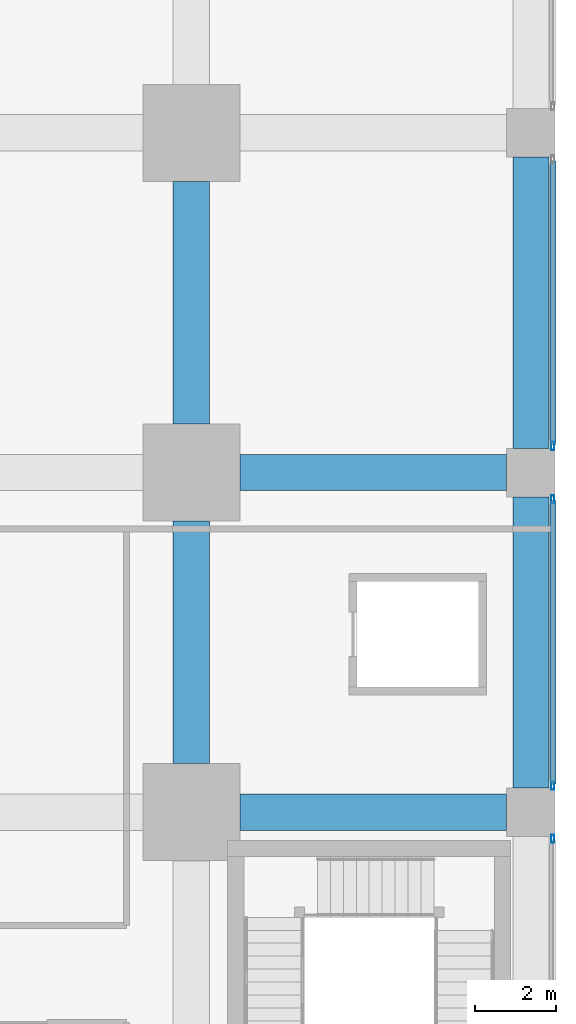
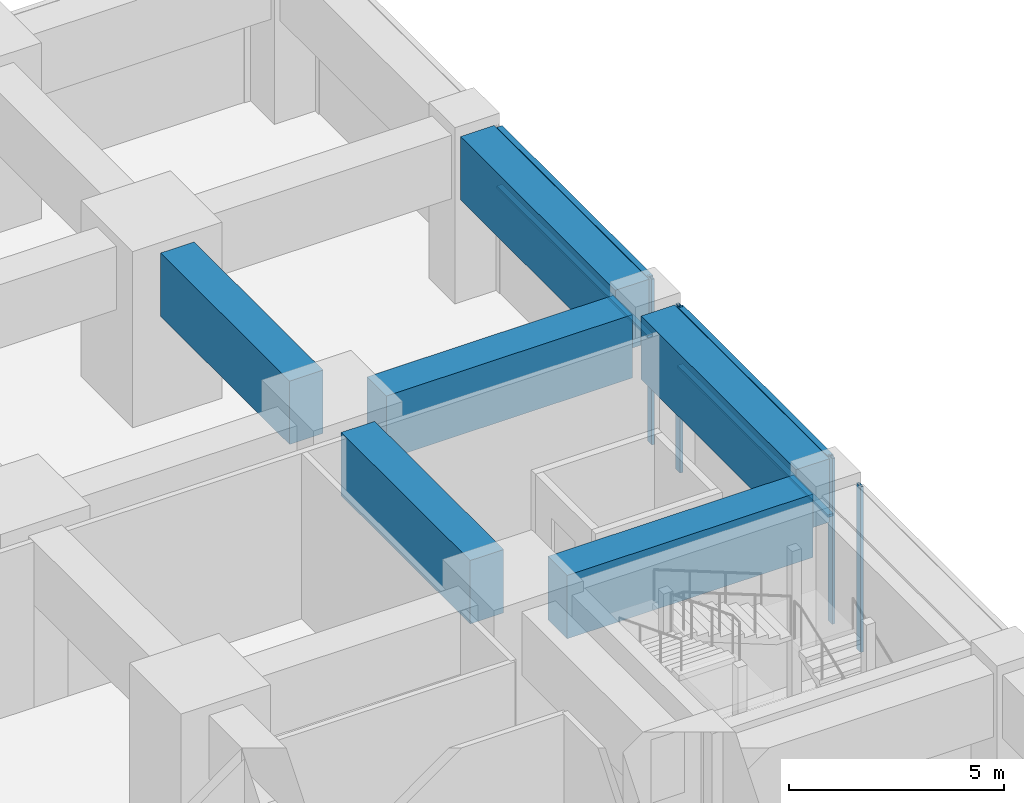
# One storey, part 32 of 49: 8 members, 6 beams, 3 elements without a shape of their own.
"""IFC4 building model written with IfcOpenShell, lengths in metres."""

from ifc_helpers import new_model, si_unit, direction, frame, origin, origin_2d, place, context, subcontext, project, spatial, rectangle, hollow_rectangle, extrude, material, material_profile, profile_set, type_object, element, aggregate, save


model = new_model("IFC4")

# Units and contexts
model_context = context("Model", 3, precision=1e-05, world=origin(), true_north=direction((0.0, 1.0)))
body_context = subcontext(model_context, "Body", "Model", "MODEL_VIEW")
ifc_project = project(units=[si_unit("LENGTHUNIT", "METRE"), si_unit("AREAUNIT", "SQUARE_METRE"), si_unit("VOLUMEUNIT", "CUBIC_METRE"), si_unit("PLANEANGLEUNIT", "RADIAN"), si_unit("MASSUNIT", "GRAM", prefix="KILO")], contexts=[model_context])

# Site, building, storey
site_placement = place(None, origin())
site = spatial("IfcSite", under=ifc_project, at=site_placement, CompositionType="ELEMENT")
building_placement = place(site_placement, origin())
building = spatial("IfcBuilding", under=site, at=building_placement, Name="Rekha Terrace Tower", CompositionType="ELEMENT")
storey_placement = place(building_placement, frame((0.0, 0.0, 10.39990234375)))
storey = spatial("IfcBuildingStorey", under=building, at=storey_placement, Name="L02", CompositionType="ELEMENT", Elevation=10.39990234375)

# Curtain wall, member
ifc_material_1 = material(Name="Aluminium framing", Category="aluminium")
curtain_wall_type = type_object("IfcCurtainWallType", Name="CW4 podium shopfront glazing", PredefinedType="USERDEFINED", material=ifc_material_1)
curtain_wall_1_placement = place(storey_placement, origin())
curtain_wall_1 = element("IfcCurtainWall", 1, at=curtain_wall_1_placement, inside=storey, type_object=curtain_wall_type, Name="CW4 shopfront curtain wall", ObjectType="SHOPFRONT CURTAIN WALL", PredefinedType="USERDEFINED")
ifc_material_2 = material(Name="Aluminium mullion section", Category="aluminium")
ifc_material_profile_1 = material_profile(ifc_material_2, hollow_rectangle(XDim=0.074951171875, YDim=0.199951171875, WallThickness=0.00390625, at=origin_2d()), Name="AL RHS 75x200")
ifc_profile_set_1 = profile_set([ifc_material_profile_1], Name="Aluminium mullion section")
member_type_1 = type_object("IfcMemberType", Name="CW4 mullion RHS 75 x 200", PredefinedType="MULLION", material=ifc_profile_set_1)
member_1_placement = place(storey_placement, frame((76.139892578125, 32.9423828125, 0.0), z_axis=(0.0, 0.0, 1.0), x_axis=(-1.0, 0.0, 0.0)))
member_1 = element("IfcMember", 2, at=member_1_placement, type_object=member_type_1, Name="CW4 mullion 2", PredefinedType="MULLION", context=body_context, shape_type="SweptSolid", body=[
    extrude(hollow_rectangle(XDim=0.074951171875, YDim=0.199951171875, WallThickness=0.00390625, at=origin_2d()), origin(), (0.0, 0.0, 1.0), 4.7001953125),
])
aggregate(curtain_wall_1, [member_1])

# Curtain wall, members
curtain_wall_2_placement = place(storey_placement, origin())
curtain_wall_2 = element("IfcCurtainWall", 3, at=curtain_wall_2_placement, inside=storey, type_object=curtain_wall_type, Name="CW4 shopfront curtain wall", ObjectType="SHOPFRONT CURTAIN WALL", PredefinedType="USERDEFINED")
member_2_placement = place(storey_placement, frame((76.139892578125, 34.257568359375, 0.0), z_axis=(0.0, 0.0, 1.0), x_axis=(-1.0, 0.0, 0.0)))
member_2 = element("IfcMember", 4, at=member_2_placement, type_object=member_type_1, Name="CW4 mullion 1", PredefinedType="MULLION", context=body_context, shape_type="SweptSolid", body=[
    extrude(hollow_rectangle(XDim=0.074951171875, YDim=0.199951171875, WallThickness=0.00390625, at=origin_2d()), origin(), (0.0, 0.0, 1.0), 4.7001953125),
])
member_3_placement = place(storey_placement, frame((76.139892578125, 41.342529296875, 0.0), z_axis=(0.0, 0.0, 1.0), x_axis=(-1.0, 0.0, 0.0)))
member_3 = element("IfcMember", 5, at=member_3_placement, type_object=member_type_1, Name="CW4 mullion 2", PredefinedType="MULLION", context=body_context, shape_type="SweptSolid", body=[
    extrude(hollow_rectangle(XDim=0.074951171875, YDim=0.199951171875, WallThickness=0.00390625, at=origin_2d()), origin(), (0.0, 0.0, 1.0), 4.7001953125),
])

# Curtain wall, member
curtain_wall_3_placement = place(storey_placement, origin())
curtain_wall_3 = element("IfcCurtainWall", 6, at=curtain_wall_3_placement, inside=storey, type_object=curtain_wall_type, Name="CW4 shopfront curtain wall", ObjectType="SHOPFRONT CURTAIN WALL", PredefinedType="USERDEFINED")
member_4_placement = place(storey_placement, frame((76.139892578125, 42.657470703125, 0.0), z_axis=(0.0, 0.0, 1.0), x_axis=(-1.0, 0.0, 0.0)))
member_4 = element("IfcMember", 7, at=member_4_placement, type_object=member_type_1, Name="CW4 mullion 1", PredefinedType="MULLION", context=body_context, shape_type="SweptSolid", body=[
    extrude(hollow_rectangle(XDim=0.074951171875, YDim=0.199951171875, WallThickness=0.00390625, at=origin_2d()), origin(), (0.0, 0.0, 1.0), 4.7001953125),
])

# Member
ifc_material_3 = material(Name="Aluminium transom section", Category="aluminium")
ifc_material_profile_2 = material_profile(ifc_material_3, hollow_rectangle(XDim=0.14990234375, YDim=0.074951171875, WallThickness=0.0029296875, at=origin_2d()), Name="AL RHS 150x75")
ifc_profile_set_2 = profile_set([ifc_material_profile_2], Name="Aluminium transom section")
member_type_2 = type_object("IfcMemberType", Name="CW4 transom RHS 75 x 150", PredefinedType="USERDEFINED", material=ifc_profile_set_2)
member_5_placement = place(storey_placement, frame((76.139892578125, 34.294921875, 3.0), z_axis=(0.0, 1.0, 0.0), x_axis=(-1.0, 0.0, 0.0)))
member_5 = element("IfcMember", 8, at=member_5_placement, type_object=member_type_2, Name="CW4 transom 1.2", ObjectType="TRANSOM", PredefinedType="USERDEFINED", context=body_context, shape_type="SweptSolid", body=[
    extrude(hollow_rectangle(XDim=0.14990234375, YDim=0.074951171875, WallThickness=0.0029296875, at=origin_2d()), origin(), (0.0, 0.0, 1.0), 7.010009765625),
])

member_6_placement = place(storey_placement, frame((76.139892578125, 34.294921875, 4.66259765625), z_axis=(0.0, 1.0, 0.0), x_axis=(-1.0, 0.0, 0.0)))
member_6 = element("IfcMember", 9, at=member_6_placement, type_object=member_type_2, Name="CW4 transom 1.3", ObjectType="TRANSOM", PredefinedType="USERDEFINED", context=body_context, shape_type="SweptSolid", body=[
    extrude(hollow_rectangle(XDim=0.14990234375, YDim=0.074951171875, WallThickness=0.0029296875, at=origin_2d()), origin(), (0.0, 0.0, 1.0), 7.010009765625),
])

aggregate(curtain_wall_2, [member_2, member_3, member_5, member_6])

member_7_placement = place(storey_placement, frame((76.139892578125, 42.695068359375, 3.0), z_axis=(0.0, 1.0, 0.0), x_axis=(-1.0, 0.0, 0.0)))
member_7 = element("IfcMember", 10, at=member_7_placement, type_object=member_type_2, Name="CW4 transom 1.2", ObjectType="TRANSOM", PredefinedType="USERDEFINED", context=body_context, shape_type="SweptSolid", body=[
    extrude(hollow_rectangle(XDim=0.14990234375, YDim=0.074951171875, WallThickness=0.0029296875, at=origin_2d()), origin(), (0.0, 0.0, 1.0), 7.010009765625),
])

member_8_placement = place(storey_placement, frame((76.139892578125, 42.695068359375, 4.66259765625), z_axis=(0.0, 1.0, 0.0), x_axis=(-1.0, 0.0, 0.0)))
member_8 = element("IfcMember", 11, at=member_8_placement, type_object=member_type_2, Name="CW4 transom 1.3", ObjectType="TRANSOM", PredefinedType="USERDEFINED", context=body_context, shape_type="SweptSolid", body=[
    extrude(hollow_rectangle(XDim=0.14990234375, YDim=0.074951171875, WallThickness=0.0029296875, at=origin_2d()), origin(), (0.0, 0.0, 1.0), 7.010009765625),
])

aggregate(curtain_wall_3, [member_4, member_7, member_8])

# Beams
ifc_material_4 = material(Name="Concrete M60", Category="concrete")
ifc_material_profile_3 = material_profile(ifc_material_4, rectangle(XDim=0.89990234375, YDim=1.800048828125, at=origin_2d()), Name="RC 900x1800")
ifc_profile_set_3 = profile_set([ifc_material_profile_3], Name="Concrete M60")
beam_type = type_object("IfcBeamType", Name="G1 900x1800 podium floor beam", PredefinedType="BEAM", material=ifc_profile_set_3)
beam_1_placement = place(storey_placement, frame((68.39990234375, 33.60009765625, 3.800048828125), z_axis=(1.0, 0.0, 0.0), x_axis=(0.0, 1.0, 0.0)))
element("IfcBeam", 12, at=beam_1_placement, inside=storey, type_object=beam_type, Name="Beam G1 9E-10E under L03", PredefinedType="BEAM", context=body_context, shape_type="SweptSolid", body=[
    extrude(rectangle(XDim=0.89990234375, YDim=1.800048828125, at=origin_2d()), origin(), (0.0, 0.0, 1.0), 6.60009765625),
])
beam_2_placement = place(storey_placement, frame((67.199951171875, 34.800048828125, 3.800048828125), z_axis=(0.0, 1.0, 0.0), x_axis=(-1.0, 0.0, 0.0)))
element("IfcBeam", 13, at=beam_2_placement, inside=storey, type_object=beam_type, Name="Beam G1 9E-9F under L03", PredefinedType="BEAM", context=body_context, shape_type="SweptSolid", body=[
    extrude(rectangle(XDim=0.89990234375, YDim=1.800048828125, at=origin_2d()), origin(), (0.0, 0.0, 1.0), 6.0),
])
beam_3_placement = place(storey_placement, frame((68.39990234375, 42.0, 3.800048828125), z_axis=(1.0, 0.0, 0.0), x_axis=(0.0, 1.0, 0.0)))
element("IfcBeam", 14, at=beam_3_placement, inside=storey, type_object=beam_type, Name="Beam G1 9F-10F under L03", PredefinedType="BEAM", context=body_context, shape_type="SweptSolid", body=[
    extrude(rectangle(XDim=0.89990234375, YDim=1.800048828125, at=origin_2d()), origin(), (0.0, 0.0, 1.0), 6.60009765625),
])
beam_4_placement = place(storey_placement, frame((67.199951171875, 43.199951171875, 3.800048828125), z_axis=(0.0, 1.0, 0.0), x_axis=(-1.0, 0.0, 0.0)))
element("IfcBeam", 15, at=beam_4_placement, inside=storey, type_object=beam_type, Name="Beam G1 9F-9G under L03", PredefinedType="BEAM", context=body_context, shape_type="SweptSolid", body=[
    extrude(rectangle(XDim=0.89990234375, YDim=1.800048828125, at=origin_2d()), origin(), (0.0, 0.0, 1.0), 6.0),
])
for number, where, z_axis, x_axis, name in (
    (16, (75.60009765625, 34.199951171875, 3.800048828125), (0.0, 1.0, 0.0), (-1.0, 0.0, 0.0), "Beam G1 10E-10F under L03"),
    (17, (75.60009765625, 42.60009765625, 3.800048828125), (0.0, 1.0, 0.0), (-1.0, 0.0, 0.0), "Beam G1 10F-10G under L03"),
):
    element("IfcBeam", number, at=place(storey_placement, frame(where, z_axis=z_axis, x_axis=x_axis)), inside=storey, type_object=beam_type, Name=name, PredefinedType="BEAM", context=body_context, shape_type="SweptSolid", body=[
        extrude(rectangle(XDim=0.89990234375, YDim=1.800048828125, at=origin_2d()), origin(), (0.0, 0.0, 1.0), 7.199951171875),
    ])

save(model, "model.ifc")
